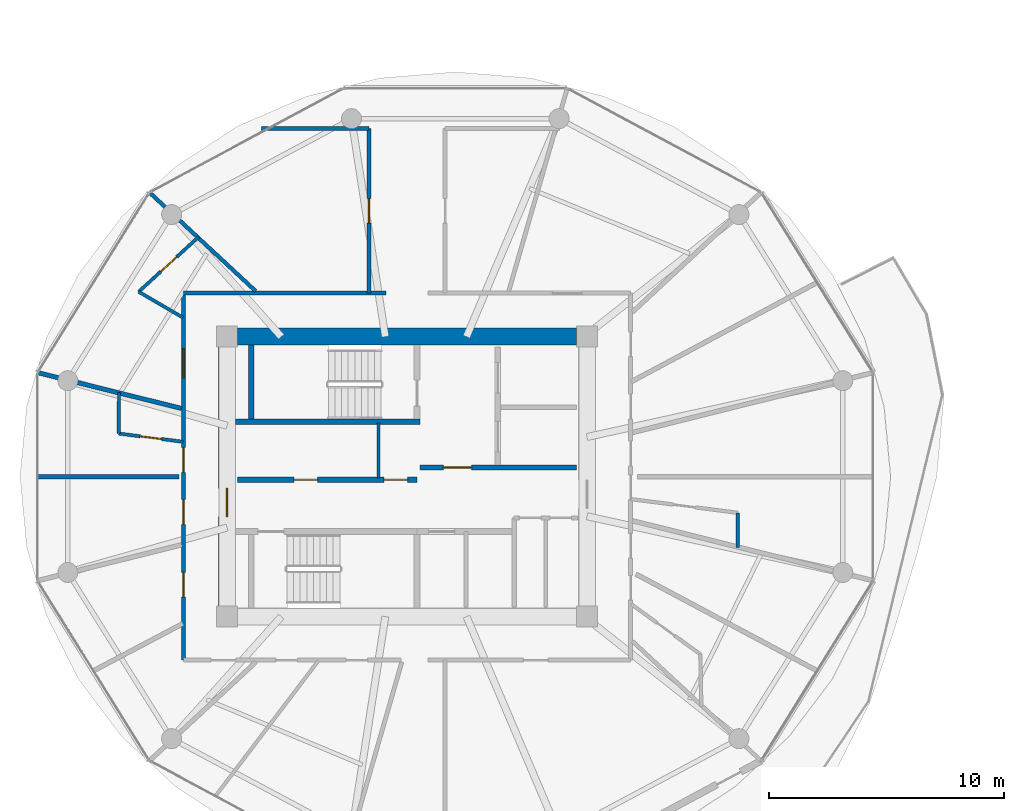
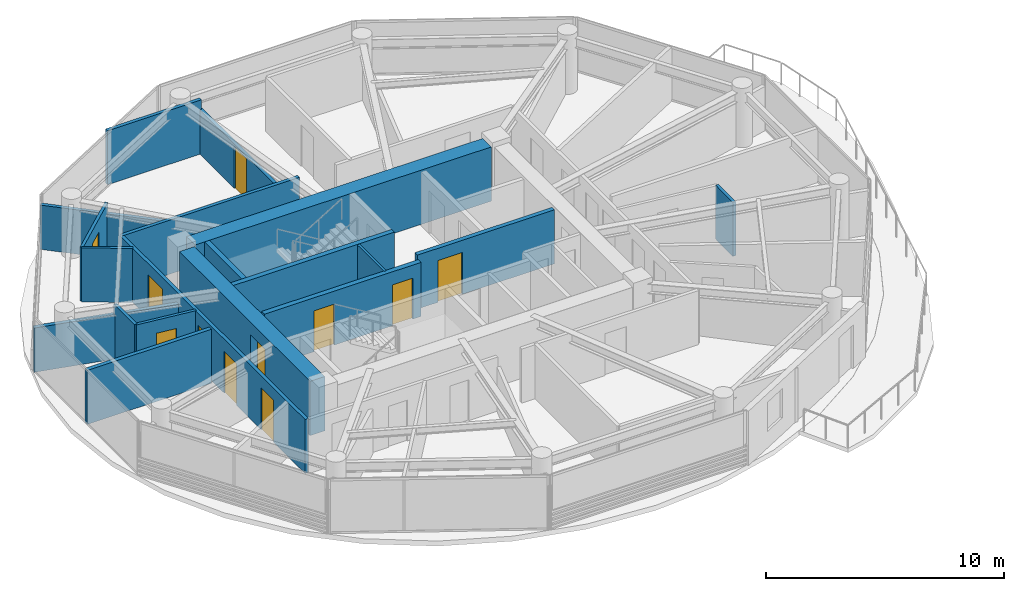
# One storey, part 14 of 22: 19 walls, 11 doors, 11 openings.
"""IFC4 building model written with IfcOpenShell, lengths in metres."""

from ifc_helpers import new_model, si_unit, direction, frame, frame_2d, origin, place, context, subcontext, project, spatial, rectangle, extrude, source, transform, mapped, material, layer, layer_set, type_object, type_shapes, element, fill, save


model = new_model("IFC4")

# Units and contexts
model_context = context("Model", 3, precision=1e-05, world=origin(), true_north=direction((0.0, 1.0)))
body_context = subcontext(model_context, "Body", "Model", "MODEL_VIEW")
ifc_project = project(units=[si_unit("LENGTHUNIT", "METRE"), si_unit("AREAUNIT", "SQUARE_METRE"), si_unit("VOLUMEUNIT", "CUBIC_METRE"), si_unit("PLANEANGLEUNIT", "RADIAN"), si_unit("MASSUNIT", "GRAM", prefix="KILO")], contexts=[model_context])

# Site, building, storey
site_placement = place(None, origin())
site = spatial("IfcSite", under=ifc_project, at=site_placement, CompositionType="ELEMENT")
building_placement = place(site_placement, origin())
building = spatial("IfcBuilding", under=site, at=building_placement, Name="Norrkilde Senior Care Towers", CompositionType="ELEMENT")
storey_placement = place(building_placement, frame((0.0, 0.0, 123.699951171875)))
storey = spatial("IfcBuildingStorey", under=building, at=storey_placement, Name="L38", CompositionType="ELEMENT", Elevation=123.699951171875)

# Wall
ifc_material_1 = material(Name="Concrete C60/75", Category="concrete")
ifc_layer_1 = layer(ifc_material_1, 0.719970703125)
ifc_layer_set_1 = layer_set([ifc_layer_1], Name="Concrete C60/75")
wall_type_1 = type_object("IfcWallType", Name="Core Shear Wall Z2 720", PredefinedType="SHEAR", material=ifc_layer_set_1)
shared_shape_1 = source(origin(), body_context, "Body", "SweptSolid", [
    extrude(rectangle(XDim=14.39990234375, YDim=0.719970703125, at=frame_2d((7.199951171875, 0.0))), origin(), (0.0, 0.0, 1.0), 2.7900390625),
])
wall_1_placement = place(storey_placement, frame((-35.199951171875, 5.949951171875, 0.0), z_axis=(0.0, 0.0, 1.0), x_axis=(1.0, 0.0, 0.0)))
element("IfcWall", 1, at=wall_1_placement, inside=storey, type_object=wall_type_1, Name="L38 Core W North Shear Wall", PredefinedType="SHEAR", context=body_context, shape_type="MappedRepresentation", body=[
    mapped(shared_shape_1, transform((0.0, 0.0, 0.0), x_axis=(1.0, 0.0, 0.0), y_axis=(0.0, 1.0, 0.0), z_axis=(0.0, 0.0, 1.0), scale=1.0)),
])

# Wall, opening, door
shared_shape_2 = source(origin(), body_context, "Body", "SweptSolid", [
    extrude(rectangle(XDim=11.0, YDim=0.719970703125, at=frame_2d((5.5, 0.0))), origin(), (0.0, 0.0, 1.0), 2.7900390625),
])
type_shapes(wall_type_1, [shared_shape_1, shared_shape_2])
wall_2_placement = place(storey_placement, frame((-35.64990234375, -5.5, 0.0), z_axis=(0.0, 0.0, 1.0), x_axis=(0.0, 1.0, 0.0)))
wall_2 = element("IfcWall", 2, at=wall_2_placement, inside=storey, type_object=wall_type_1, Name="L38 Core W West Shear Wall", PredefinedType="SHEAR", context=body_context, shape_type="MappedRepresentation", body=[
    mapped(shared_shape_2, transform((0.0, 0.0, 0.0), x_axis=(1.0, 0.0, 0.0), y_axis=(0.0, 1.0, 0.0), z_axis=(0.0, 0.0, 1.0), scale=1.0)),
])
opening_1_placement = place(wall_2_placement, frame((3.800048828125, 0.0, 0.0)))
opening_1 = element("IfcOpeningElement", 3, at=opening_1_placement, cuts=wall_2, Name="Opening D-04", PredefinedType="OPENING", context=body_context, shape_type="SweptSolid", body=[
    extrude(rectangle(XDim=1.199951171875, YDim=2.14990234375, at=frame_2d((0.60009765625, 1.074951171875))), frame((0.0, 0.369873046875, 0.0), z_axis=(0.0, -1.0, 0.0), x_axis=(1.0, 0.0, 0.0)), (0.0, 0.0, 1.0), 0.739990234375),
])
ifc_material_2 = material(Name="Galvanised Painted Steel", Category="steel")
door_type_1 = type_object("IfcDoorType", Name="Firefighting Lobby Fire Door 1200x2150", OperationType="NOTDEFINED", PredefinedType="DOOR", material=ifc_material_2)
shared_shape_3 = source(origin(), body_context, "Body", "SweptSolid", [
    extrude(rectangle(XDim=1.199951171875, YDim=2.14990234375, at=frame_2d((0.60009765625, 1.074951171875))), frame((0.0, 0.02490234375, 0.0), z_axis=(0.0, -1.0, 0.0), x_axis=(1.0, 0.0, 0.0)), (0.0, 0.0, 1.0), 0.050048828125),
])
type_shapes(door_type_1, [shared_shape_3])
door_1_placement = place(opening_1_placement, frame((1.199951171875, 0.0, 0.0), z_axis=(0.0, 0.0, 1.0), x_axis=(-1.0, 0.0, 0.0)))
door_1 = element("IfcDoor", 4, at=door_1_placement, inside=storey, type_object=door_type_1, Name="L38 Core W West Portal Door", OperationType="SINGLE_SWING_LEFT", OverallHeight=2.14990234375, OverallWidth=1.199951171875, PredefinedType="DOOR", context=body_context, shape_type="MappedRepresentation", body=[
    mapped(shared_shape_3, transform((0.0, 0.0, 0.0), x_axis=(1.0, 0.0, 0.0), y_axis=(0.0, 1.0, 0.0), z_axis=(0.0, 0.0, 1.0), scale=1.0)),
])
fill(opening_1, door_1)

ifc_material_3 = material(Name="Concrete C45/55", Category="concrete")
ifc_layer_2 = layer(ifc_material_3, 0.2099609375)
ifc_layer_set_2 = layer_set([ifc_layer_2], Name="Concrete C45/55")
wall_type_2 = type_object("IfcWallType", Name="Firefighting Lobby Wall 210", PredefinedType="PARTITIONING", material=ifc_layer_set_2)
shared_shape_4 = source(origin(), body_context, "Body", "SweptSolid", [
    extrude(rectangle(XDim=6.659912109375, YDim=0.2099609375, at=frame_2d((3.330078125, 0.0))), origin(), (0.0, 0.0, 1.0), 2.775146484375),
])
type_shapes(wall_type_2, [shared_shape_4])
wall_3_placement = place(storey_placement, frame((-27.4599609375, 0.389892578125, 0.0), z_axis=(0.0, 0.0, 1.0), x_axis=(1.0, 0.0, 0.0)))
wall_3 = element("IfcWall", 5, at=wall_3_placement, inside=storey, type_object=wall_type_2, Name="WL-INT-L38-W-FFLS", PredefinedType="PARTITIONING", context=body_context, shape_type="MappedRepresentation", body=[
    mapped(shared_shape_4, transform((0.0, 0.0, 0.0), x_axis=(1.0, 0.0, 0.0), y_axis=(0.0, 1.0, 0.0), z_axis=(0.0, 0.0, 1.0), scale=1.0)),
])
opening_2_placement = place(wall_3_placement, frame((1.0, 0.0, 0.0)))
opening_2 = element("IfcOpeningElement", 6, at=opening_2_placement, cuts=wall_3, Name="Opening D-04", PredefinedType="OPENING", context=body_context, shape_type="SweptSolid", body=[
    extrude(rectangle(XDim=1.199951171875, YDim=2.14990234375, at=frame_2d((0.60009765625, 1.074951171875))), frame((0.0, 0.114990234375, 0.0), z_axis=(0.0, -1.0, 0.0), x_axis=(1.0, 0.0, 0.0)), (0.0, 0.0, 1.0), 0.22998046875),
])
door_2_placement = place(opening_2_placement, frame((1.199951171875, 0.0, 0.0), z_axis=(0.0, 0.0, 1.0), x_axis=(-1.0, 0.0, 0.0)))
door_2 = element("IfcDoor", 7, at=door_2_placement, inside=storey, type_object=door_type_1, Name="L38 Firefighting Lobby W Door", OperationType="SINGLE_SWING_LEFT", OverallHeight=2.14990234375, OverallWidth=1.199951171875, PredefinedType="DOOR", context=body_context, shape_type="MappedRepresentation", body=[
    mapped(shared_shape_3, transform((0.0, 0.0, 0.0), x_axis=(1.0, 0.0, 0.0), y_axis=(0.0, 1.0, 0.0), z_axis=(0.0, 0.0, 1.0), scale=1.0)),
])
fill(opening_2, door_2)

# Wall, openings, doors
ifc_layer_3 = layer(ifc_material_3, 0.239990234375)
ifc_layer_set_3 = layer_set([ifc_layer_3], Name="Concrete C45/55")
wall_type_3 = type_object("IfcWallType", Name="Lift and Plant Rated Enclosure Partition 240", PredefinedType="PARTITIONING", material=ifc_layer_set_3)
shared_shape_5 = source(origin(), body_context, "Body", "SweptSolid", [
    extrude(rectangle(XDim=7.619873046875, YDim=0.239990234375, at=frame_2d((3.81005859375, 0.0))), origin(), (0.0, 0.0, 1.0), 2.775146484375),
])
type_shapes(wall_type_3, [shared_shape_5])
wall_4_placement = place(storey_placement, frame((-35.199951171875, -0.1298828125, 0.0), z_axis=(0.0, 0.0, 1.0), x_axis=(1.0, 0.0, 0.0)))
wall_4 = element("IfcWall", 8, at=wall_4_placement, inside=storey, type_object=wall_type_3, Name="WL-INT-L38-W-PKAS", PredefinedType="PARTITIONING", context=body_context, shape_type="MappedRepresentation", body=[
    mapped(shared_shape_5, transform((0.0, 0.0, 0.0), x_axis=(1.0, 0.0, 0.0), y_axis=(0.0, 1.0, 0.0), z_axis=(0.0, 0.0, 1.0), scale=1.0)),
])
opening_3_placement = place(wall_4_placement, frame((6.219970703125, 0.0, 0.0)))
opening_3 = element("IfcOpeningElement", 9, at=opening_3_placement, cuts=wall_4, Name="Opening D-10", PredefinedType="OPENING", context=body_context, shape_type="SweptSolid", body=[
    extrude(rectangle(XDim=1.0, YDim=2.10009765625, at=frame_2d((0.5, 1.050048828125))), frame((0.0, 0.1298828125, 0.0), z_axis=(0.0, -1.0, 0.0), x_axis=(1.0, 0.0, 0.0)), (0.0, 0.0, 1.0), 0.260009765625),
])
opening_4_placement = place(wall_4_placement, frame((2.39990234375, 0.0, 0.0)))
opening_4 = element("IfcOpeningElement", 10, at=opening_4_placement, cuts=wall_4, Name="Opening D-10", PredefinedType="OPENING", context=body_context, shape_type="SweptSolid", body=[
    extrude(rectangle(XDim=1.0, YDim=2.10009765625, at=frame_2d((0.5, 1.050048828125))), frame((0.0, 0.1298828125, 0.0), z_axis=(0.0, -1.0, 0.0), x_axis=(1.0, 0.0, 0.0)), (0.0, 0.0, 1.0), 0.260009765625),
])
door_type_2 = type_object("IfcDoorType", Name="Plant and Riser Rated Door 1000x2100", OperationType="NOTDEFINED", PredefinedType="DOOR", material=ifc_material_2)
shared_shape_6 = source(origin(), body_context, "Body", "SweptSolid", [
    extrude(rectangle(XDim=1.0, YDim=2.10009765625, at=frame_2d((0.5, 1.050048828125))), frame((0.0, 0.02490234375, 0.0), z_axis=(0.0, -1.0, 0.0), x_axis=(1.0, 0.0, 0.0)), (0.0, 0.0, 1.0), 0.050048828125),
])
type_shapes(door_type_2, [shared_shape_6])
door_3_placement = place(opening_3_placement, frame((1.0, 0.0, 0.0), z_axis=(0.0, 0.0, 1.0), x_axis=(-1.0, 0.0, 0.0)))
door_3 = element("IfcDoor", 11, at=door_3_placement, inside=storey, type_object=door_type_2, Name="L38 Electrical Riser W Door", OperationType="SINGLE_SWING_LEFT", OverallHeight=2.10009765625, OverallWidth=1.0, PredefinedType="DOOR", context=body_context, shape_type="MappedRepresentation", body=[
    mapped(shared_shape_6, transform((0.0, 0.0, 0.0), x_axis=(1.0, 0.0, 0.0), y_axis=(0.0, 1.0, 0.0), z_axis=(0.0, 0.0, 1.0), scale=1.0)),
])
fill(opening_3, door_3)
door_4_placement = place(opening_4_placement, frame((1.0, 0.0, 0.0), z_axis=(0.0, 0.0, 1.0), x_axis=(-1.0, 0.0, 0.0)))
door_4 = element("IfcDoor", 12, at=door_4_placement, inside=storey, type_object=door_type_2, Name="L38 Clean Supply Store W Door", OperationType="SINGLE_SWING_LEFT", OverallHeight=2.10009765625, OverallWidth=1.0, PredefinedType="DOOR", context=body_context, shape_type="MappedRepresentation", body=[
    mapped(shared_shape_6, transform((0.0, 0.0, 0.0), x_axis=(1.0, 0.0, 0.0), y_axis=(0.0, 1.0, 0.0), z_axis=(0.0, 0.0, 1.0), scale=1.0)),
])
fill(opening_4, door_4)

# Wall
ifc_material_4 = material(Name="Gypsum Acoustic Board")
ifc_layer_4 = layer(ifc_material_4, 0.114990234375)
ifc_layer_set_4 = layer_set([ifc_layer_4], Name="Gypsum Acoustic Board")
wall_type_4 = type_object("IfcWallType", Name="Internal Room Partition 115", PredefinedType="PARTITIONING", material=ifc_layer_set_4)
shared_shape_7 = source(origin(), body_context, "Body", "SweptSolid", [
    extrude(rectangle(XDim=2.330078125, YDim=0.114990234375, at=frame_2d((1.1650390625, 0.0))), origin(), (0.0, 0.0, 1.0), 2.775146484375),
])
type_shapes(wall_type_4, [shared_shape_7])
wall_5_placement = place(storey_placement, frame((-29.2099609375, -0.050048828125, 0.0), z_axis=(0.0, 0.0, 1.0), x_axis=(0.0, 1.0, 0.0)))
element("IfcWall", 13, at=wall_5_placement, inside=storey, type_object=wall_type_4, Name="WL-INT-L38-W-RISW", PredefinedType="PARTITIONING", context=body_context, shape_type="MappedRepresentation", body=[
    mapped(shared_shape_7, transform((0.0, 0.0, 0.0), x_axis=(1.0, 0.0, 0.0), y_axis=(0.0, 1.0, 0.0), z_axis=(0.0, 0.0, 1.0), scale=1.0)),
])

# Wall, openings, doors
ifc_layer_5 = layer(ifc_material_4, 0.1650390625)
ifc_layer_set_5 = layer_set([ifc_layer_5], Name="Gypsum Acoustic Board")
wall_type_5 = type_object("IfcWallType", Name="Corridor Rated Partition 165", PredefinedType="PARTITIONING", material=ifc_layer_set_5)
shared_shape_8 = source(origin(), body_context, "Body", "SweptSolid", [
    extrude(rectangle(XDim=15.60009765625, YDim=0.1650390625, at=frame_2d((7.800048828125, 0.0))), origin(), (0.0, 0.0, 1.0), 2.775146484375),
])
wall_6_placement = place(storey_placement, frame((-37.5, -7.800048828125, 0.0), z_axis=(0.0, 0.0, 1.0), x_axis=(0.0, 1.0, 0.0)))
wall_6 = element("IfcWall", 14, at=wall_6_placement, inside=storey, type_object=wall_type_5, Name="WL-INT-L38-W-CRW-W-0", PredefinedType="PARTITIONING", context=body_context, shape_type="MappedRepresentation", body=[
    mapped(shared_shape_8, transform((0.0, 0.0, 0.0), x_axis=(1.0, 0.0, 0.0), y_axis=(0.0, 1.0, 0.0), z_axis=(0.0, 0.0, 1.0), scale=1.0)),
])
opening_5_placement = place(wall_6_placement, frame((11.994140625, 0.0, 0.0)))
opening_5 = element("IfcOpeningElement", 15, at=opening_5_placement, cuts=wall_6, Name="Opening D-05", PredefinedType="OPENING", context=body_context, shape_type="SweptSolid", body=[
    extrude(rectangle(XDim=1.25, YDim=2.199951171875, at=frame_2d((0.625, 1.10009765625))), frame((0.0, 0.092529296875, 0.0), z_axis=(0.0, -1.0, 0.0), x_axis=(1.0, 0.0, 0.0)), (0.0, 0.0, 1.0), 0.18505859375),
])
opening_6_placement = place(wall_6_placement, frame((7.984375, 0.0, 0.0)))
opening_6 = element("IfcOpeningElement", 16, at=opening_6_placement, cuts=wall_6, Name="Opening D-06", PredefinedType="OPENING", context=body_context, shape_type="SweptSolid", body=[
    extrude(rectangle(XDim=1.050048828125, YDim=2.14990234375, at=frame_2d((0.52490234375, 1.074951171875))), frame((0.0, 0.092529296875, 0.0), z_axis=(0.0, -1.0, 0.0), x_axis=(1.0, 0.0, 0.0)), (0.0, 0.0, 1.0), 0.18505859375),
])
opening_7_placement = place(wall_6_placement, frame((5.776611328125, 0.0, 0.0)))
opening_7 = element("IfcOpeningElement", 17, at=opening_7_placement, cuts=wall_6, Name="Opening D-06", PredefinedType="OPENING", context=body_context, shape_type="SweptSolid", body=[
    extrude(rectangle(XDim=1.050048828125, YDim=2.14990234375, at=frame_2d((0.52490234375, 1.074951171875))), frame((0.0, 0.092529296875, 0.0), z_axis=(0.0, -1.0, 0.0), x_axis=(1.0, 0.0, 0.0)), (0.0, 0.0, 1.0), 0.18505859375),
])
opening_8_placement = place(wall_6_placement, frame((2.67626953125, 0.0, 0.0)))
opening_8 = element("IfcOpeningElement", 18, at=opening_8_placement, cuts=wall_6, Name="Opening D-06", PredefinedType="OPENING", context=body_context, shape_type="SweptSolid", body=[
    extrude(rectangle(XDim=1.050048828125, YDim=2.14990234375, at=frame_2d((0.52490234375, 1.074951171875))), frame((0.0, 0.092529296875, 0.0), z_axis=(0.0, -1.0, 0.0), x_axis=(1.0, 0.0, 0.0)), (0.0, 0.0, 1.0), 0.18505859375),
])
ifc_material_5 = material(Name="Nordic Ash Timber", Category="wood")
door_type_3 = type_object("IfcDoorType", Name="Care Bedroom Bariatric Door 1250x2200", OperationType="NOTDEFINED", PredefinedType="DOOR", material=ifc_material_5)
shared_shape_9 = source(origin(), body_context, "Body", "SweptSolid", [
    extrude(rectangle(XDim=1.25, YDim=2.199951171875, at=frame_2d((0.625, 1.10009765625))), frame((0.0, 0.02490234375, 0.0), z_axis=(0.0, -1.0, 0.0), x_axis=(1.0, 0.0, 0.0)), (0.0, 0.0, 1.0), 0.050048828125),
])
type_shapes(door_type_3, [shared_shape_9])
door_5_placement = place(opening_5_placement, frame((1.25, 0.0, 0.0), z_axis=(0.0, 0.0, 1.0), x_axis=(-1.0, 0.0, 0.0)))
door_5 = element("IfcDoor", 19, at=door_5_placement, inside=storey, type_object=door_type_3, Name="L38 Care Suite 3804 Entrance Door", OperationType="SINGLE_SWING_LEFT", OverallHeight=2.199951171875, OverallWidth=1.25, PredefinedType="DOOR", context=body_context, shape_type="MappedRepresentation", body=[
    mapped(shared_shape_9, transform((0.0, 0.0, 0.0), x_axis=(1.0, 0.0, 0.0), y_axis=(0.0, 1.0, 0.0), z_axis=(0.0, 0.0, 1.0), scale=1.0)),
])
fill(opening_5, door_5)
door_type_4 = type_object("IfcDoorType", Name="Apartment Entrance Fire Door 1050x2150", OperationType="NOTDEFINED", PredefinedType="DOOR", material=ifc_material_5)
shared_shape_10 = source(origin(), body_context, "Body", "SweptSolid", [
    extrude(rectangle(XDim=1.050048828125, YDim=2.14990234375, at=frame_2d((0.52490234375, 1.074951171875))), frame((0.0, 0.02490234375, 0.0), z_axis=(0.0, -1.0, 0.0), x_axis=(1.0, 0.0, 0.0)), (0.0, 0.0, 1.0), 0.050048828125),
])
type_shapes(door_type_4, [shared_shape_10])
door_6_placement = place(opening_6_placement, frame((1.050048828125, 0.0, 0.0), z_axis=(0.0, 0.0, 1.0), x_axis=(-1.0, 0.0, 0.0)))
door_6 = element("IfcDoor", 20, at=door_6_placement, inside=storey, type_object=door_type_4, Name="L38 Care Suite 3805A Entrance Door", OperationType="SINGLE_SWING_RIGHT", OverallHeight=2.14990234375, OverallWidth=1.050048828125, PredefinedType="DOOR", context=body_context, shape_type="MappedRepresentation", body=[
    mapped(shared_shape_10, transform((0.0, 0.0, 0.0), x_axis=(1.0, 0.0, 0.0), y_axis=(0.0, 1.0, 0.0), z_axis=(0.0, 0.0, 1.0), scale=1.0)),
])
fill(opening_6, door_6)
door_7_placement = place(opening_7_placement, frame((1.050048828125, 0.0, 0.0), z_axis=(0.0, 0.0, 1.0), x_axis=(-1.0, 0.0, 0.0)))
door_7 = element("IfcDoor", 21, at=door_7_placement, inside=storey, type_object=door_type_4, Name="L38 Therapy Day Lounge 05 Door", OperationType="SINGLE_SWING_LEFT", OverallHeight=2.14990234375, OverallWidth=1.050048828125, PredefinedType="DOOR", context=body_context, shape_type="MappedRepresentation", body=[
    mapped(shared_shape_10, transform((0.0, 0.0, 0.0), x_axis=(1.0, 0.0, 0.0), y_axis=(0.0, 1.0, 0.0), z_axis=(0.0, 0.0, 1.0), scale=1.0)),
])
fill(opening_7, door_7)
door_8_placement = place(opening_8_placement, frame((1.050048828125, 0.0, 0.0), z_axis=(0.0, 0.0, 1.0), x_axis=(-1.0, 0.0, 0.0)))
door_8 = element("IfcDoor", 22, at=door_8_placement, inside=storey, type_object=door_type_4, Name="L38 Physiotherapy Clinic 6A Door", OperationType="SINGLE_SWING_LEFT", OverallHeight=2.14990234375, OverallWidth=1.050048828125, PredefinedType="DOOR", context=body_context, shape_type="MappedRepresentation", body=[
    mapped(shared_shape_10, transform((0.0, 0.0, 0.0), x_axis=(1.0, 0.0, 0.0), y_axis=(0.0, 1.0, 0.0), z_axis=(0.0, 0.0, 1.0), scale=1.0)),
])
fill(opening_8, door_8)

# Walls
ifc_layer_6 = layer(ifc_material_3, 0.239990234375)
ifc_layer_set_6 = layer_set([ifc_layer_6], Name="Concrete C45/55")
wall_type_6 = type_object("IfcWallType", Name="Shaft and Stair Enclosure Wall 240", PredefinedType="PARTITIONING", material=ifc_layer_set_6)
shared_shape_11 = source(origin(), body_context, "Body", "SweptSolid", [
    extrude(rectangle(XDim=7.830078125, YDim=0.239990234375, at=frame_2d((3.9150390625, 0.0))), origin(), (0.0, 0.0, 1.0), 2.7900390625),
])
wall_7_placement = place(storey_placement, frame((-35.2900390625, 2.330078125, 0.0), z_axis=(0.0, 0.0, 1.0), x_axis=(1.0, 0.0, 0.0)))
element("IfcWall", 23, at=wall_7_placement, inside=storey, type_object=wall_type_6, Name="WL-INT-L38-W-ST1S", PredefinedType="PARTITIONING", context=body_context, shape_type="MappedRepresentation", body=[
    mapped(shared_shape_11, transform((0.0, 0.0, 0.0), x_axis=(1.0, 0.0, 0.0), y_axis=(0.0, 1.0, 0.0), z_axis=(0.0, 0.0, 1.0), scale=1.0)),
])
shared_shape_12 = source(origin(), body_context, "Body", "SweptSolid", [
    extrude(rectangle(XDim=3.14013671875, YDim=0.239990234375, at=frame_2d((1.570068359375, 0.0))), origin(), (0.0, 0.0, 1.0), 2.7900390625),
])
type_shapes(wall_type_6, [shared_shape_11, shared_shape_12])
wall_8_placement = place(storey_placement, frame((-34.6201171875, 2.449951171875, 0.0), z_axis=(0.0, 0.0, 1.0), x_axis=(0.0, 1.0, 0.0)))
element("IfcWall", 24, at=wall_8_placement, inside=storey, type_object=wall_type_6, Name="WL-INT-L38-W-ST1W", PredefinedType="PARTITIONING", context=body_context, shape_type="MappedRepresentation", body=[
    mapped(shared_shape_12, transform((0.0, 0.0, 0.0), x_axis=(1.0, 0.0, 0.0), y_axis=(0.0, 1.0, 0.0), z_axis=(0.0, 0.0, 1.0), scale=1.0)),
])
ifc_layer_7 = layer(ifc_material_4, 0.18994140625)
ifc_layer_set_7 = layer_set([ifc_layer_7], Name="Gypsum Acoustic Board")
wall_type_7 = type_object("IfcWallType", Name="Unit Demising Acoustic Wall 190", PredefinedType="PARTITIONING", material=ifc_layer_set_7)
shared_shape_13 = source(origin(), body_context, "Body", "SweptSolid", [
    extrude(rectangle(XDim=6.33056640625, YDim=0.18994140625, at=frame_2d((3.165283203125, 0.0))), origin(), (0.0, 0.0, 1.0), 2.275146484375),
])
wall_9_placement = place(storey_placement, frame((-37.580078125, 2.89599609375, 0.0), z_axis=(0.0, 0.0, 1.0), x_axis=(-0.97036440661, 0.241646267062, 0.0)))
element("IfcWall", 25, at=wall_9_placement, inside=storey, type_object=wall_type_7, Name="WL-INT-L38-W-DEM-05-0", PredefinedType="PARTITIONING", context=body_context, shape_type="MappedRepresentation", body=[
    mapped(shared_shape_13, transform((0.0, 0.0, 0.0), x_axis=(1.0, 0.0, 0.0), y_axis=(0.0, 1.0, 0.0), z_axis=(0.0, 0.0, 1.0), scale=1.0)),
])
ifc_layer_8 = layer(ifc_material_4, 0.139892578125)
ifc_layer_set_8 = layer_set([ifc_layer_8], Name="Gypsum Acoustic Board")
wall_type_8 = type_object("IfcWallType", Name="En-suite Wet Room Wall 140", PredefinedType="PARTITIONING", material=ifc_layer_set_8)
shared_shape_14 = source(origin(), body_context, "Body", "SweptSolid", [
    extrude(rectangle(XDim=2.171630859375, YDim=0.139892578125, at=frame_2d((1.0859375, 0.0))), origin(), (0.0, 0.0, 1.0), 2.775146484375),
])
wall_10_placement = place(storey_placement, frame((-37.530029296875, 6.761962890625, 0.0), z_axis=(0.0, 0.0, 1.0), x_axis=(-0.863562702562, 0.504241468688, 0.0)))
element("IfcWall", 26, at=wall_10_placement, inside=storey, type_object=wall_type_8, Name="WL-INT-L38-W-ES-04", PredefinedType="PARTITIONING", context=body_context, shape_type="MappedRepresentation", body=[
    mapped(shared_shape_14, transform((0.0, 0.0, 0.0), x_axis=(1.0, 0.0, 0.0), y_axis=(0.0, 1.0, 0.0), z_axis=(0.0, 0.0, 1.0), scale=1.0)),
])
shared_shape_15 = source(origin(), body_context, "Body", "SweptSolid", [
    extrude(rectangle(XDim=8.60009765625, YDim=0.1650390625, at=frame_2d((4.300048828125, 0.0))), origin(), (0.0, 0.0, 1.0), 2.775146484375),
])
wall_11_placement = place(storey_placement, frame((-37.5, 7.800048828125, 0.0), z_axis=(0.0, 0.0, 1.0), x_axis=(1.0, 0.0, 0.0)))
element("IfcWall", 27, at=wall_11_placement, inside=storey, type_object=wall_type_5, Name="WL-INT-L38-W-CRW-N-0", PredefinedType="PARTITIONING", context=body_context, shape_type="MappedRepresentation", body=[
    mapped(shared_shape_15, transform((0.0, 0.0, 0.0), x_axis=(1.0, 0.0, 0.0), y_axis=(0.0, 1.0, 0.0), z_axis=(0.0, 0.0, 1.0), scale=1.0)),
])
shared_shape_16 = source(origin(), body_context, "Body", "SweptSolid", [
    extrude(rectangle(XDim=6.186767578125, YDim=0.1650390625, at=frame_2d((3.09326171875, 0.0))), origin(), (0.0, 0.0, 1.0), 2.275146484375),
])
wall_12_placement = place(storey_placement, frame((-34.428955078125, 7.8798828125, 0.0), z_axis=(0.0, 0.0, 1.0), x_axis=(-0.732501077882, 0.680765870841, 0.0)))
element("IfcWall", 28, at=wall_12_placement, inside=storey, type_object=wall_type_5, Name="WL-INT-L38-W-DEM-04-0", PredefinedType="PARTITIONING", context=body_context, shape_type="MappedRepresentation", body=[
    mapped(shared_shape_16, transform((0.0, 0.0, 0.0), x_axis=(1.0, 0.0, 0.0), y_axis=(0.0, 1.0, 0.0), z_axis=(0.0, 0.0, 1.0), scale=1.0)),
])
shared_shape_17 = source(origin(), body_context, "Body", "SweptSolid", [
    extrude(rectangle(XDim=1.4677734375, YDim=0.139892578125, at=frame_2d((0.73388671875, 0.0))), origin(), (0.0, 0.0, 1.0), 2.775146484375),
])
wall_13_placement = place(storey_placement, frame((-13.944580078125, -1.536865234375, 0.0), z_axis=(0.0, 0.0, 1.0), x_axis=(-0.00399198416, -0.999992031999, 0.0)))
element("IfcWall", 29, at=wall_13_placement, inside=storey, type_object=wall_type_8, Name="WL-INT-L38-W-EF-11A", PredefinedType="PARTITIONING", context=body_context, shape_type="MappedRepresentation", body=[
    mapped(shared_shape_17, transform((0.0, 0.0, 0.0), x_axis=(1.0, 0.0, 0.0), y_axis=(0.0, 1.0, 0.0), z_axis=(0.0, 0.0, 1.0), scale=1.0)),
])

# Wall, opening, door
shared_shape_18 = source(origin(), body_context, "Body", "SweptSolid", [
    extrude(rectangle(XDim=3.456787109375, YDim=0.139892578125, at=frame_2d((1.728515625, 0.0))), origin(), (0.0, 0.0, 1.0), 2.775146484375),
])
wall_14_placement = place(storey_placement, frame((-39.4052734375, 7.85693359375, 0.0), z_axis=(0.0, 0.0, 1.0), x_axis=(0.737567375492, 0.675273549467, 0.0)))
wall_14 = element("IfcWall", 30, at=wall_14_placement, inside=storey, type_object=wall_type_8, Name="WL-INT-L38-W-EF-04", PredefinedType="PARTITIONING", context=body_context, shape_type="MappedRepresentation", body=[
    mapped(shared_shape_18, transform((0.0, 0.0, 0.0), x_axis=(1.0, 0.0, 0.0), y_axis=(0.0, 1.0, 0.0), z_axis=(0.0, 0.0, 1.0), scale=1.0)),
])
opening_9_placement = place(wall_14_placement, frame((1.268310546875, 0.0, 0.0)))
opening_9 = element("IfcOpeningElement", 31, at=opening_9_placement, cuts=wall_14, Name="Opening D-08", PredefinedType="OPENING", context=body_context, shape_type="SweptSolid", body=[
    extrude(rectangle(XDim=0.919921875, YDim=2.10009765625, at=frame_2d((0.4599609375, 1.050048828125))), frame((0.0, 0.079833984375, 0.0), z_axis=(0.0, -1.0, 0.0), x_axis=(1.0, 0.0, 0.0)), (0.0, 0.0, 1.0), 0.159912109375),
])
door_type_5 = type_object("IfcDoorType", Name="Accessible Wet Room Door 920x2100", OperationType="NOTDEFINED", PredefinedType="DOOR", material=ifc_material_5)
shared_shape_19 = source(origin(), body_context, "Body", "SweptSolid", [
    extrude(rectangle(XDim=0.919921875, YDim=2.10009765625, at=frame_2d((0.4599609375, 1.050048828125))), frame((0.0, 0.02490234375, 0.0), z_axis=(0.0, -1.0, 0.0), x_axis=(1.0, 0.0, 0.0)), (0.0, 0.0, 1.0), 0.050048828125),
])
type_shapes(door_type_5, [shared_shape_19])
door_9_placement = place(opening_9_placement, origin())
door_9 = element("IfcDoor", 32, at=door_9_placement, inside=storey, type_object=door_type_5, Name="L38 Care Suite 3804 Bathroom Door", OperationType="SINGLE_SWING_RIGHT", OverallHeight=2.10009765625, OverallWidth=0.919921875, PredefinedType="DOOR", context=body_context, shape_type="MappedRepresentation", body=[
    mapped(shared_shape_19, transform((0.0, 0.0, 0.0), x_axis=(1.0, 0.0, 0.0), y_axis=(0.0, 1.0, 0.0), z_axis=(0.0, 0.0, 1.0), scale=1.0)),
])
fill(opening_9, door_9)

# Wall
shared_shape_20 = source(origin(), body_context, "Body", "SweptSolid", [
    extrude(rectangle(XDim=6.03857421875, YDim=0.18994140625, at=frame_2d((3.019287109375, 0.0))), origin(), (0.0, 0.0, 1.0), 2.775146484375),
])
type_shapes(wall_type_7, [shared_shape_13, shared_shape_20])
wall_15_placement = place(storey_placement, frame((-37.6845703125, 0.0, 0.0), z_axis=(0.0, 0.0, 1.0), x_axis=(-1.0, 0.0, 0.0)))
element("IfcWall", 33, at=wall_15_placement, inside=storey, type_object=wall_type_7, Name="WL-INT-L38-W-CMID-05", PredefinedType="PARTITIONING", context=body_context, shape_type="MappedRepresentation", body=[
    mapped(shared_shape_20, transform((0.0, 0.0, 0.0), x_axis=(1.0, 0.0, 0.0), y_axis=(0.0, 1.0, 0.0), z_axis=(0.0, 0.0, 1.0), scale=1.0)),
])

# Wall, opening, door
shared_shape_21 = source(origin(), body_context, "Body", "SweptSolid", [
    extrude(rectangle(XDim=2.74365234375, YDim=0.139892578125, at=frame_2d((1.371826171875, 0.0))), origin(), (0.0, 0.0, 1.0), 2.775146484375),
])
wall_16_placement = place(storey_placement, frame((-37.530029296875, 1.482421875, 0.0), z_axis=(0.0, 0.0, 1.0), x_axis=(-0.991916450239, 0.126892693823, 0.0)))
wall_16 = element("IfcWall", 34, at=wall_16_placement, inside=storey, type_object=wall_type_8, Name="WL-INT-L38-W-ES-05A", PredefinedType="PARTITIONING", context=body_context, shape_type="MappedRepresentation", body=[
    mapped(shared_shape_21, transform((0.0, 0.0, 0.0), x_axis=(1.0, 0.0, 0.0), y_axis=(0.0, 1.0, 0.0), z_axis=(0.0, 0.0, 1.0), scale=1.0)),
])
opening_10_placement = place(wall_16_placement, frame((0.911865234375, 0.0, 0.0)))
opening_10 = element("IfcOpeningElement", 35, at=opening_10_placement, cuts=wall_16, Name="Opening D-08", PredefinedType="OPENING", context=body_context, shape_type="SweptSolid", body=[
    extrude(rectangle(XDim=0.919921875, YDim=2.10009765625, at=frame_2d((0.4599609375, 1.050048828125))), frame((0.0, 0.079833984375, 0.0), z_axis=(0.0, -1.0, 0.0), x_axis=(1.0, 0.0, 0.0)), (0.0, 0.0, 1.0), 0.159912109375),
])
door_10_placement = place(opening_10_placement, origin())
door_10 = element("IfcDoor", 36, at=door_10_placement, inside=storey, type_object=door_type_5, Name="L38 Care Suite 3805A Bathroom Door", OperationType="SINGLE_SWING_LEFT", OverallHeight=2.10009765625, OverallWidth=0.919921875, PredefinedType="DOOR", context=body_context, shape_type="MappedRepresentation", body=[
    mapped(shared_shape_19, transform((0.0, 0.0, 0.0), x_axis=(1.0, 0.0, 0.0), y_axis=(0.0, 1.0, 0.0), z_axis=(0.0, 0.0, 1.0), scale=1.0)),
])
fill(opening_10, door_10)

# Wall
shared_shape_22 = source(origin(), body_context, "Body", "SweptSolid", [
    extrude(rectangle(XDim=1.7490234375, YDim=0.139892578125, at=frame_2d((0.87451171875, 0.0))), origin(), (0.0, 0.0, 1.0), 2.775146484375),
])
type_shapes(wall_type_8, [shared_shape_14, shared_shape_17, shared_shape_18, shared_shape_21, shared_shape_22])
wall_17_placement = place(storey_placement, frame((-40.25146484375, 1.83056640625, 0.0), z_axis=(0.0, 0.0, 1.0), x_axis=(0.003350064953, 0.999994388517, 0.0)))
element("IfcWall", 37, at=wall_17_placement, inside=storey, type_object=wall_type_8, Name="WL-INT-L38-W-EF-05A", PredefinedType="PARTITIONING", context=body_context, shape_type="MappedRepresentation", body=[
    mapped(shared_shape_22, transform((0.0, 0.0, 0.0), x_axis=(1.0, 0.0, 0.0), y_axis=(0.0, 1.0, 0.0), z_axis=(0.0, 0.0, 1.0), scale=1.0)),
])

# Wall, opening, door
shared_shape_23 = source(origin(), body_context, "Body", "SweptSolid", [
    extrude(rectangle(XDim=6.989990234375, YDim=0.1650390625, at=frame_2d((3.4951171875, 0.0))), origin(), (0.0, 0.0, 1.0), 2.275146484375),
])
wall_18_placement = place(storey_placement, frame((-29.6201171875, 7.800048828125, 0.0), z_axis=(0.0, 0.0, 1.0), x_axis=(0.0, 1.0, 0.0)))
wall_18 = element("IfcWall", 38, at=wall_18_placement, inside=storey, type_object=wall_type_5, Name="WL-INT-L38-W-PKW-NWL", PredefinedType="PARTITIONING", context=body_context, shape_type="MappedRepresentation", body=[
    mapped(shared_shape_23, transform((0.0, 0.0, 0.0), x_axis=(1.0, 0.0, 0.0), y_axis=(0.0, 1.0, 0.0), z_axis=(0.0, 0.0, 1.0), scale=1.0)),
])
opening_11_placement = place(wall_18_placement, frame((2.969970703125, 0.0, 0.0)))
opening_11 = element("IfcOpeningElement", 39, at=opening_11_placement, cuts=wall_18, Name="Opening D-06", PredefinedType="OPENING", context=body_context, shape_type="SweptSolid", body=[
    extrude(rectangle(XDim=1.050048828125, YDim=2.14990234375, at=frame_2d((0.52490234375, 1.074951171875))), frame((0.0, 0.092529296875, 0.0), z_axis=(0.0, -1.0, 0.0), x_axis=(1.0, 0.0, 0.0)), (0.0, 0.0, 1.0), 0.18505859375),
])
door_11_placement = place(opening_11_placement, frame((1.050048828125, 0.0, 0.0), z_axis=(0.0, 0.0, 1.0), x_axis=(-1.0, 0.0, 0.0)))
door_11 = element("IfcDoor", 40, at=door_11_placement, inside=storey, type_object=door_type_4, Name="L38 Reading Lounge NWL Door", OperationType="SINGLE_SWING_RIGHT", OverallHeight=2.14990234375, OverallWidth=1.050048828125, PredefinedType="DOOR", context=body_context, shape_type="MappedRepresentation", body=[
    mapped(shared_shape_10, transform((0.0, 0.0, 0.0), x_axis=(1.0, 0.0, 0.0), y_axis=(0.0, 1.0, 0.0), z_axis=(0.0, 0.0, 1.0), scale=1.0)),
])
fill(opening_11, door_11)

# Wall
shared_shape_24 = source(origin(), body_context, "Body", "SweptSolid", [
    extrude(rectangle(XDim=4.5693359375, YDim=0.1650390625, at=frame_2d((2.28466796875, 0.0))), origin(), (0.0, 0.0, 1.0), 2.775146484375),
])
type_shapes(wall_type_5, [shared_shape_8, shared_shape_15, shared_shape_16, shared_shape_23, shared_shape_24])
wall_19_placement = place(storey_placement, frame((-34.189453125, 14.7900390625, 0.0), z_axis=(0.0, 0.0, 1.0), x_axis=(1.0, 0.0, 0.0)))
element("IfcWall", 41, at=wall_19_placement, inside=storey, type_object=wall_type_5, Name="WL-INT-L38-W-PKH-NWL-0", PredefinedType="PARTITIONING", context=body_context, shape_type="MappedRepresentation", body=[
    mapped(shared_shape_24, transform((0.0, 0.0, 0.0), x_axis=(1.0, 0.0, 0.0), y_axis=(0.0, 1.0, 0.0), z_axis=(0.0, 0.0, 1.0), scale=1.0)),
])

save(model, "model.ifc")
